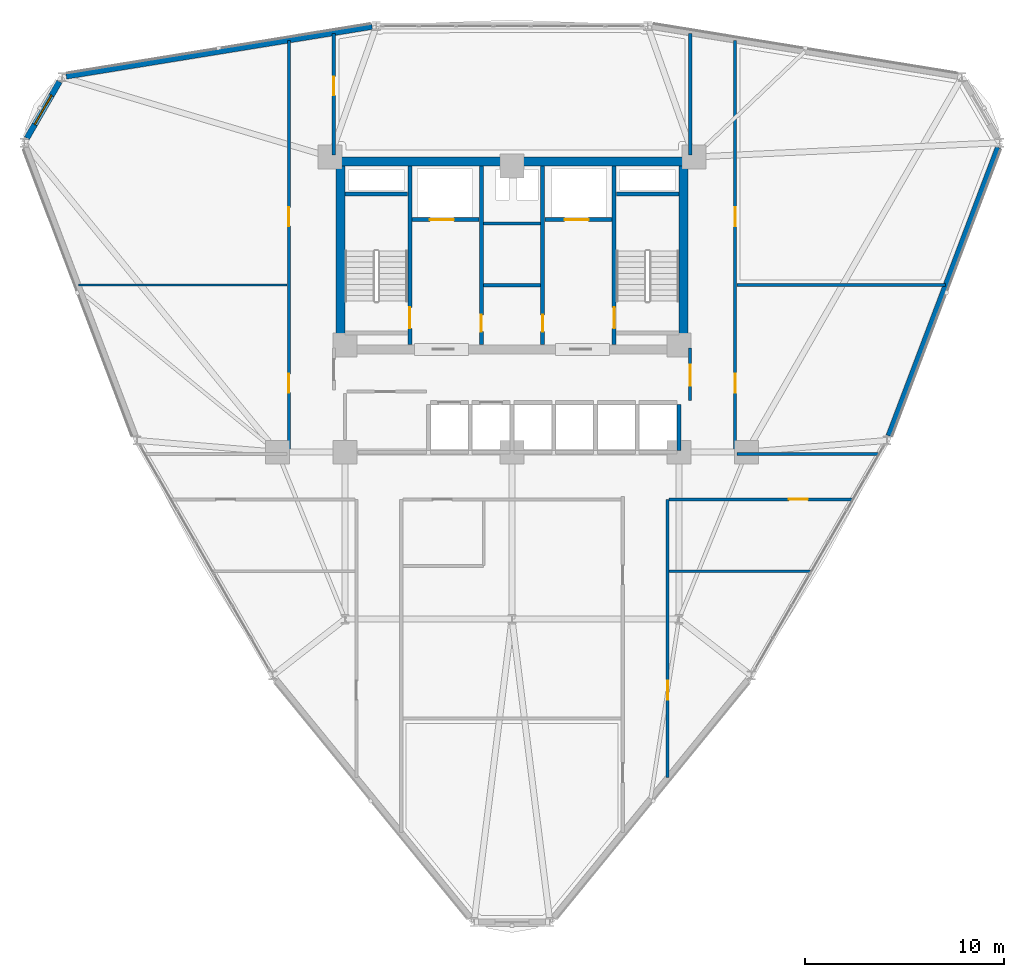
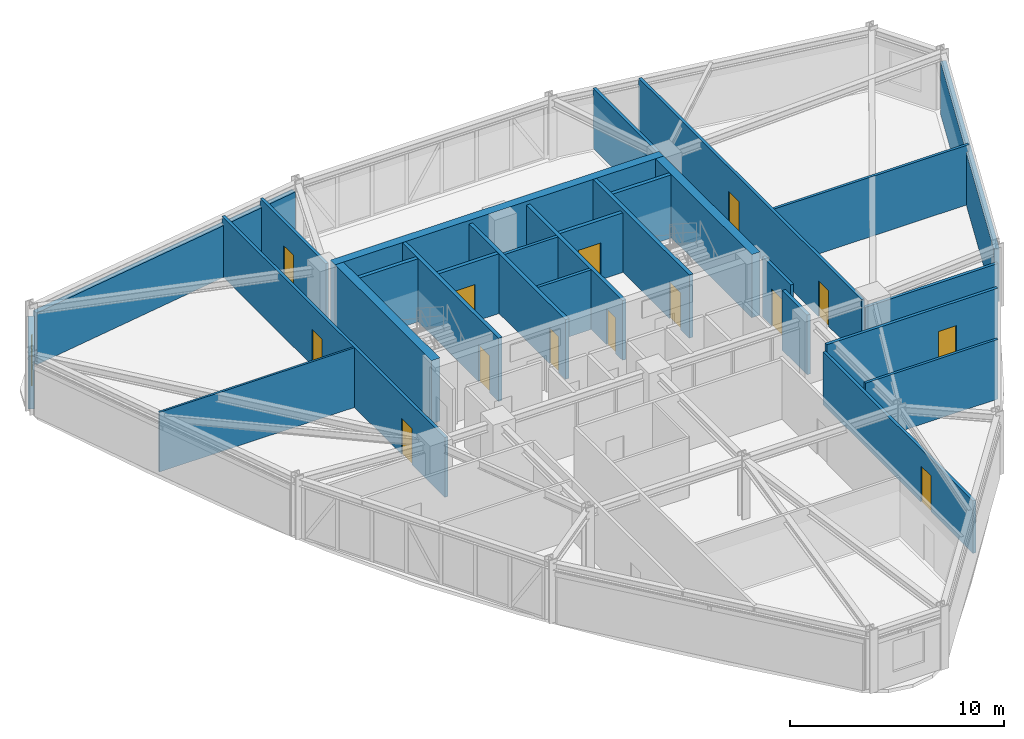
# One storey, part 11 of 17: 28 walls, 14 doors, 1 window, 15 openings.
"""IFC4 building model written with IfcOpenShell, lengths in metres."""

from ifc_helpers import new_model, si_unit, derived_unit, direction, frame, frame_2d, origin, place, context, subcontext, project, spatial, rectangle, extrude, material, layer, layer_set, type_object, element, fill, save


model = new_model("IFC4")

# Units and contexts
model_context = context("Model", 3, precision=1e-05, world=origin(), true_north=direction((0.0, 1.0)))
body_context = subcontext(model_context, "Body", "Model", "MODEL_VIEW")
ifc_project = project(units=[si_unit("LENGTHUNIT", "METRE"), si_unit("AREAUNIT", "SQUARE_METRE"), si_unit("VOLUMEUNIT", "CUBIC_METRE"), si_unit("PLANEANGLEUNIT", "RADIAN"), si_unit("MASSUNIT", "GRAM", prefix="KILO"), derived_unit("THERMALTRANSMITTANCEUNIT", [(si_unit("POWERUNIT", "WATT"), 1), (si_unit("LENGTHUNIT", "METRE"), -2), (si_unit("THERMODYNAMICTEMPERATUREUNIT", "KELVIN"), -1)])], contexts=[model_context])

# Site, building, storey
site_placement = place(None, origin())
site = spatial("IfcSite", under=ifc_project, at=site_placement, CompositionType="ELEMENT")
building_placement = place(site_placement, origin())
building = spatial("IfcBuilding", under=site, at=building_placement, Name="Korsvarv Bourse and Concert Hall", CompositionType="ELEMENT")
storey_placement = place(building_placement, frame((0.0, 0.0, 124.199951171875)))
storey = spatial("IfcBuildingStorey", under=building, at=storey_placement, Name="L31", CompositionType="ELEMENT", Elevation=124.199951171875)

# Wall, opening, door
ifc_material_1 = material(Name="Concrete C50/60", Category="concrete")
ifc_layer_1 = layer(ifc_material_1, 0.3798828125)
ifc_layer_set_1 = layer_set([ifc_layer_1], Name="Concrete C50/60")
wall_type_1 = type_object("IfcWallType", Name="WL-CORE-380", PredefinedType="SHEAR", material=ifc_layer_set_1)
wall_1_placement = place(storey_placement, frame((30.860107421875, 37.81005859375, 0.0), z_axis=(0.0, 0.0, 1.0), x_axis=(0.0, 1.0, 0.0)))
wall_1 = element("IfcWall", 1, at=wall_1_placement, inside=storey, type_object=wall_type_1, Name="L31 stair shaft structural wall W-L31-ST1-E", PredefinedType="SHEAR", context=body_context, shape_type="SweptSolid", body=[
    extrude(rectangle(XDim=8.97998046875, YDim=0.199951171875, at=frame_2d((4.489990234375, 0.0))), origin(), (0.0, 0.0, 1.0), 3.60009765625),
])
opening_1_placement = place(wall_1_placement, frame((0.820068359375, 0.0, 0.0)))
opening_1 = element("IfcOpeningElement", 2, at=opening_1_placement, cuts=wall_1, Name="Opening D-01", PredefinedType="OPENING", context=body_context, shape_type="SweptSolid", body=[
    extrude(rectangle(XDim=1.050048828125, YDim=2.10009765625, at=frame_2d((0.52490234375, 1.050048828125))), frame((0.0, 0.10986328125, 0.0), z_axis=(0.0, -1.0, 0.0), x_axis=(1.0, 0.0, 0.0)), (0.0, 0.0, 1.0), 0.219970703125),
])
ifc_material_2 = material(Name="Steel S355 fire door", Category="steel")
door_type_1 = type_object("IfcDoorType", Name="DR-FD60", OperationType="NOTDEFINED", PredefinedType="DOOR", material=ifc_material_2)
door_1_placement = place(opening_1_placement, origin())
door_1 = element("IfcDoor", 3, at=door_1_placement, inside=storey, type_object=door_type_1, Name="L31 interior door DR-L31-ST1", OperationType="SINGLE_SWING_LEFT", OverallHeight=2.10009765625, OverallWidth=1.050048828125, PredefinedType="DOOR", context=body_context, shape_type="SweptSolid", body=[
    extrude(rectangle(XDim=1.050048828125, YDim=2.10009765625, at=frame_2d((0.52490234375, 1.050048828125))), frame((0.0, 0.02490234375, 0.0), z_axis=(0.0, -1.0, 0.0), x_axis=(1.0, 0.0, 0.0)), (0.0, 0.0, 1.0), 0.050048828125),
])
fill(opening_1, door_1)

# Wall
wall_2_placement = place(storey_placement, frame((27.610107421875, 45.39990234375, 0.0), z_axis=(0.0, 0.0, 1.0), x_axis=(1.0, 0.0, 0.0)))
element("IfcWall", 4, at=wall_2_placement, inside=storey, type_object=wall_type_1, Name="L31 stair shaft structural wall W-L31-ST1-N", PredefinedType="SHEAR", context=body_context, shape_type="SweptSolid", body=[
    extrude(rectangle(XDim=3.139892578125, YDim=0.199951171875, at=frame_2d((1.56982421875, 0.0))), origin(), (0.0, 0.0, 1.0), 3.60009765625),
])

# Wall, opening, door
wall_3_placement = place(storey_placement, frame((41.139892578125, 37.81005859375, 0.0), z_axis=(0.0, 0.0, 1.0), x_axis=(0.0, 1.0, 0.0)))
wall_3 = element("IfcWall", 5, at=wall_3_placement, inside=storey, type_object=wall_type_1, Name="L31 stair shaft structural wall W-L31-ST2-W", PredefinedType="SHEAR", context=body_context, shape_type="SweptSolid", body=[
    extrude(rectangle(XDim=8.97998046875, YDim=0.199951171875, at=frame_2d((4.489990234375, 0.0))), origin(), (0.0, 0.0, 1.0), 3.60009765625),
])
opening_2_placement = place(wall_3_placement, frame((0.820068359375, 0.0, 0.0)))
opening_2 = element("IfcOpeningElement", 6, at=opening_2_placement, cuts=wall_3, Name="Opening D-01", PredefinedType="OPENING", context=body_context, shape_type="SweptSolid", body=[
    extrude(rectangle(XDim=1.050048828125, YDim=2.10009765625, at=frame_2d((0.52490234375, 1.050048828125))), frame((0.0, 0.10986328125, 0.0), z_axis=(0.0, -1.0, 0.0), x_axis=(1.0, 0.0, 0.0)), (0.0, 0.0, 1.0), 0.219970703125),
])
door_2_placement = place(opening_2_placement, frame((1.050048828125, 0.0, 0.0), z_axis=(0.0, 0.0, 1.0), x_axis=(-1.0, 0.0, 0.0)))
door_2 = element("IfcDoor", 7, at=door_2_placement, inside=storey, type_object=door_type_1, Name="L31 interior door DR-L31-ST2", OperationType="SINGLE_SWING_RIGHT", OverallHeight=2.10009765625, OverallWidth=1.050048828125, PredefinedType="DOOR", context=body_context, shape_type="SweptSolid", body=[
    extrude(rectangle(XDim=1.050048828125, YDim=2.10009765625, at=frame_2d((0.52490234375, 1.050048828125))), frame((0.0, 0.02490234375, 0.0), z_axis=(0.0, -1.0, 0.0), x_axis=(1.0, 0.0, 0.0)), (0.0, 0.0, 1.0), 0.050048828125),
])
fill(opening_2, door_2)

# Walls
wall_4_placement = place(storey_placement, frame((41.25, 45.39990234375, 0.0), z_axis=(0.0, 0.0, 1.0), x_axis=(1.0, 0.0, 0.0)))
element("IfcWall", 8, at=wall_4_placement, inside=storey, type_object=wall_type_1, Name="L31 stair shaft structural wall W-L31-ST2-N", PredefinedType="SHEAR", context=body_context, shape_type="SweptSolid", body=[
    extrude(rectangle(XDim=3.139892578125, YDim=0.199951171875, at=frame_2d((1.56982421875, 0.0))), origin(), (0.0, 0.0, 1.0), 3.60009765625),
])
ifc_material_3 = material(Name="Concrete C55/67", Category="concrete")
ifc_layer_2 = layer(ifc_material_3, 0.449951171875)
ifc_layer_set_2 = layer_set([ifc_layer_2], Name="Concrete C55/67")
wall_type_2 = type_object("IfcWallType", Name="WL-CORE-450", PredefinedType="SHEAR", material=ifc_layer_set_2)
wall_5_placement = place(storey_placement, frame((27.14990234375, 47.02490234375, 0.0), z_axis=(0.0, 0.0, 1.0), x_axis=(1.0, 0.0, 0.0)))
element("IfcWall", 9, at=wall_5_placement, inside=storey, type_object=wall_type_2, Name="L31 North Core Shear Wall", PredefinedType="SHEAR", context=body_context, shape_type="SweptSolid", body=[
    extrude(rectangle(XDim=17.7001953125, YDim=0.449951171875, at=frame_2d((8.85009765625, 0.0))), origin(), (0.0, 0.0, 1.0), 3.60009765625),
])
for number, where, z_axis, x_axis, name in (
    (10, (27.375, 37.800048828125, 0.0), (0.0, 0.0, 1.0), (0.0, 1.0, 0.0), "L31 West Core Shear Wall"),
    (11, (44.625, 37.800048828125, 0.0), (0.0, 0.0, 1.0), (0.0, 1.0, 0.0), "L31 East Core Shear Wall"),
):
    element("IfcWall", number, at=place(storey_placement, frame(where, z_axis=z_axis, x_axis=x_axis)), inside=storey, type_object=wall_type_2, Name=name, PredefinedType="SHEAR", context=body_context, shape_type="SweptSolid", body=[
        extrude(rectangle(XDim=9.0, YDim=0.449951171875, at=frame_2d((4.5, 0.0))), origin(), (0.0, 0.0, 1.0), 3.60009765625),
    ])

# Wall, opening, window
ifc_material_4 = material(Name="Precast concrete C45/55 with terracotta rainscreen", Category="concrete")
ifc_layer_3 = layer(ifc_material_4, 0.300048828125)
ifc_layer_set_3 = layer_set([ifc_layer_3], Name="Precast concrete C45/55 with terracotta rainscreen")
wall_type_3 = type_object("IfcWallType", Name="WL-EXT-TC1", PredefinedType="SOLIDWALL", material=ifc_layer_set_3)
wall_6_placement = place(storey_placement, frame((13.23193359375, 51.038330078125, 0.0), z_axis=(0.0, 0.0, 1.0), x_axis=(-0.500014611105, -0.866016967894, 0.0)))
wall_6 = element("IfcWall", 12, at=wall_6_placement, inside=storey, type_object=wall_type_3, Name="L31 terracotta exterior wall EW-L31-B05", PredefinedType="SOLIDWALL", context=body_context, shape_type="SweptSolid", body=[
    extrude(rectangle(XDim=3.279296875, YDim=0.300048828125, at=frame_2d((1.6396484375, 0.0))), origin(), (0.0, 0.0, 1.0), 3.0),
])
opening_3_placement = place(wall_6_placement, frame((0.78955078125, 0.0, 0.75)))
opening_3 = element("IfcOpeningElement", 13, at=opening_3_placement, cuts=wall_6, Name="Opening W-01", PredefinedType="OPENING", context=body_context, shape_type="SweptSolid", body=[
    extrude(rectangle(XDim=1.699951171875, YDim=1.75, at=frame_2d((0.85009765625, 0.875))), frame((0.0, 0.16015625, 0.0), z_axis=(0.0, -1.0, 0.0), x_axis=(1.0, 0.0, 0.0)), (0.0, 0.0, 1.0), 0.320068359375),
])
ifc_material_5 = material(Name="Thermally broken aluminium frame with triple low-E glass", Category="glass")
window_type = type_object("IfcWindowType", Name="WIN-TW1", PartitioningType="SINGLE_PANEL", PredefinedType="WINDOW", material=ifc_material_5)
window_placement = place(opening_3_placement, origin())
window = element("IfcWindow", 14, at=window_placement, inside=storey, type_object=window_type, Name="L31 punched facade window W-01", OverallHeight=1.75, OverallWidth=1.699951171875, PartitioningType="SINGLE_PANEL", PredefinedType="WINDOW", context=body_context, shape_type="SweptSolid", body=[
    extrude(rectangle(XDim=1.699951171875, YDim=1.75, at=frame_2d((0.85009765625, 0.875))), frame((0.0, 0.030029296875, 0.0), z_axis=(0.0, -1.0, 0.0), x_axis=(1.0, 0.0, 0.0)), (0.0, 0.0, 1.0), 0.06005859375),
])
fill(opening_3, window)

# Walls
ifc_material_6 = material(Name="Precast concrete C45/55 with fluted terracotta pier", Category="concrete")
ifc_layer_4 = layer(ifc_material_6, 0.280029296875)
ifc_layer_set_4 = layer_set([ifc_layer_4], Name="Precast concrete C45/55 with fluted terracotta pier")
wall_type_4 = type_object("IfcWallType", Name="WL-EXT-TC2", PredefinedType="SOLIDWALL", material=ifc_layer_set_4)
wall_7_placement = place(storey_placement, frame((28.959228515625, 53.806396484375, 0.0), z_axis=(0.0, 0.0, 1.0), x_axis=(-0.987036263752, -0.160497395736, 0.0)))
element("IfcWall", 15, at=wall_7_placement, inside=storey, type_object=wall_type_4, Name="L31 terracotta exterior wall EW-L31-B04", PredefinedType="SOLIDWALL", context=body_context, shape_type="SweptSolid", body=[
    extrude(rectangle(XDim=15.5810546875, YDim=0.280029296875, at=frame_2d((7.79052734375, 0.0))), origin(), (0.0, 0.0, 1.0), 2.949951171875),
])
wall_8_placement = place(storey_placement, frame((54.952392578125, 33.22412109375, 0.0), z_axis=(0.0, 0.0, 1.0), x_axis=(0.354519532047, 0.935048609109, 0.0)))
element("IfcWall", 16, at=wall_8_placement, inside=storey, type_object=wall_type_4, Name="L31 terracotta exterior wall EW-L31-B12", PredefinedType="SOLIDWALL", context=body_context, shape_type="SweptSolid", body=[
    extrude(rectangle(XDim=15.517333984375, YDim=0.280029296875, at=frame_2d((7.7587890625, 0.0))), origin(), (0.0, 0.0, 1.0), 3.0),
])

# Wall, opening, door
ifc_material_7 = material(Name="Reinforced concrete blockwork C35/45 fire wall", Category="concrete")
ifc_layer_5 = layer(ifc_material_7, 0.199951171875)
ifc_layer_set_5 = layer_set([ifc_layer_5], Name="Reinforced concrete blockwork C35/45 fire wall")
wall_type_5 = type_object("IfcWallType", Name="WL-INT-EI120", PredefinedType="PARTITIONING", material=ifc_layer_set_5)
wall_9_placement = place(storey_placement, frame((30.969970703125, 44.10009765625, 0.0), z_axis=(0.0, 0.0, 1.0), x_axis=(1.0, 0.0, 0.0)))
wall_9 = element("IfcWall", 17, at=wall_9_placement, inside=storey, type_object=wall_type_5, Name="L31 interior partition wall W-L31-FF1-S", PredefinedType="PARTITIONING", context=body_context, shape_type="SweptSolid", body=[
    extrude(rectangle(XDim=3.380126953125, YDim=0.199951171875, at=frame_2d((1.68994140625, 0.0))), origin(), (0.0, 0.0, 1.0), 3.400146484375),
])
opening_4_placement = place(wall_9_placement, frame((0.89990234375, 0.0, 0.0)))
opening_4 = element("IfcOpeningElement", 18, at=opening_4_placement, cuts=wall_9, Name="Opening LD-1", PredefinedType="OPENING", context=body_context, shape_type="SweptSolid", body=[
    extrude(rectangle(XDim=1.199951171875, YDim=2.10009765625, at=frame_2d((0.60009765625, 1.050048828125))), frame((0.0, 0.10986328125, 0.0), z_axis=(0.0, -1.0, 0.0), x_axis=(1.0, 0.0, 0.0)), (0.0, 0.0, 1.0), 0.219970703125),
])
ifc_material_8 = material(Name="Stainless Steel S355 firefighting lift landing door", Category="steel")
door_type_2 = type_object("IfcDoorType", Name="DR-LIFT-FF", OperationType="DOUBLE_DOOR_SLIDING", PredefinedType="DOOR", material=ifc_material_8)
door_3_placement = place(opening_4_placement, origin())
door_3 = element("IfcDoor", 19, at=door_3_placement, inside=storey, type_object=door_type_2, Name="L31 lift sliding landing door LD-L31-FF1", OperationType="DOUBLE_DOOR_SLIDING", OverallHeight=2.10009765625, OverallWidth=1.199951171875, PredefinedType="DOOR", context=body_context, shape_type="SweptSolid", body=[
    extrude(rectangle(XDim=1.199951171875, YDim=2.10009765625, at=frame_2d((0.60009765625, 1.050048828125))), frame((0.0, 0.02490234375, 0.0), z_axis=(0.0, -1.0, 0.0), x_axis=(1.0, 0.0, 0.0)), (0.0, 0.0, 1.0), 0.050048828125),
])
fill(opening_4, door_3)

wall_10_placement = place(storey_placement, frame((37.64990234375, 44.10009765625, 0.0), z_axis=(0.0, 0.0, 1.0), x_axis=(1.0, 0.0, 0.0)))
wall_10 = element("IfcWall", 20, at=wall_10_placement, inside=storey, type_object=wall_type_5, Name="L31 interior partition wall W-L31-FF2-S", PredefinedType="PARTITIONING", context=body_context, shape_type="SweptSolid", body=[
    extrude(rectangle(XDim=3.380126953125, YDim=0.199951171875, at=frame_2d((1.68994140625, 0.0))), origin(), (0.0, 0.0, 1.0), 3.400146484375),
])
opening_5_placement = place(wall_10_placement, frame((1.0, 0.0, 0.0)))
opening_5 = element("IfcOpeningElement", 21, at=opening_5_placement, cuts=wall_10, Name="Opening LD-1", PredefinedType="OPENING", context=body_context, shape_type="SweptSolid", body=[
    extrude(rectangle(XDim=1.199951171875, YDim=2.10009765625, at=frame_2d((0.60009765625, 1.050048828125))), frame((0.0, 0.10986328125, 0.0), z_axis=(0.0, -1.0, 0.0), x_axis=(1.0, 0.0, 0.0)), (0.0, 0.0, 1.0), 0.219970703125),
])
door_4_placement = place(opening_5_placement, origin())
door_4 = element("IfcDoor", 22, at=door_4_placement, inside=storey, type_object=door_type_2, Name="L31 lift sliding landing door LD-L31-FF2", OperationType="DOUBLE_DOOR_SLIDING", OverallHeight=2.10009765625, OverallWidth=1.199951171875, PredefinedType="DOOR", context=body_context, shape_type="SweptSolid", body=[
    extrude(rectangle(XDim=1.199951171875, YDim=2.10009765625, at=frame_2d((0.60009765625, 1.050048828125))), frame((0.0, 0.02490234375, 0.0), z_axis=(0.0, -1.0, 0.0), x_axis=(1.0, 0.0, 0.0)), (0.0, 0.0, 1.0), 0.050048828125),
])
fill(opening_5, door_4)

wall_11_placement = place(storey_placement, frame((34.4599609375, 37.81005859375, 0.0), z_axis=(0.0, 0.0, 1.0), x_axis=(0.0, 1.0, 0.0)))
wall_11 = element("IfcWall", 23, at=wall_11_placement, inside=storey, type_object=wall_type_5, Name="L31 interior partition wall W-L31-CSB-W", PredefinedType="PARTITIONING", context=body_context, shape_type="SweptSolid", body=[
    extrude(rectangle(XDim=8.97998046875, YDim=0.199951171875, at=frame_2d((4.489990234375, 0.0))), origin(), (0.0, 0.0, 1.0), 3.400146484375),
])
opening_6_placement = place(wall_11_placement, frame((0.64990234375, 0.0, 0.0)))
opening_6 = element("IfcOpeningElement", 24, at=opening_6_placement, cuts=wall_11, Name="Opening D-05", PredefinedType="OPENING", context=body_context, shape_type="SweptSolid", body=[
    extrude(rectangle(XDim=0.85009765625, YDim=2.050048828125, at=frame_2d((0.425048828125, 1.02490234375))), frame((0.0, 0.10986328125, 0.0), z_axis=(0.0, -1.0, 0.0), x_axis=(1.0, 0.0, 0.0)), (0.0, 0.0, 1.0), 0.219970703125),
])
door_type_3 = type_object("IfcDoorType", Name="DR-FD60-850X2050", OperationType="NOTDEFINED", PredefinedType="DOOR", material=ifc_material_2)
door_5_placement = place(opening_6_placement, frame((0.85009765625, 0.0, 0.0), z_axis=(0.0, 0.0, 1.0), x_axis=(-1.0, 0.0, 0.0)))
door_5 = element("IfcDoor", 25, at=door_5_placement, inside=storey, type_object=door_type_3, Name="L31 interior door DR-L31-CSB1", OperationType="SINGLE_SWING_LEFT", OverallHeight=2.050048828125, OverallWidth=0.85009765625, PredefinedType="DOOR", context=body_context, shape_type="SweptSolid", body=[
    extrude(rectangle(XDim=0.85009765625, YDim=2.050048828125, at=frame_2d((0.425048828125, 1.02490234375))), frame((0.0, 0.02490234375, 0.0), z_axis=(0.0, -1.0, 0.0), x_axis=(1.0, 0.0, 0.0)), (0.0, 0.0, 1.0), 0.050048828125),
])
fill(opening_6, door_5)

wall_12_placement = place(storey_placement, frame((37.5400390625, 37.81005859375, 0.0), z_axis=(0.0, 0.0, 1.0), x_axis=(0.0, 1.0, 0.0)))
wall_12 = element("IfcWall", 26, at=wall_12_placement, inside=storey, type_object=wall_type_5, Name="L31 interior partition wall W-L31-CSB-E", PredefinedType="PARTITIONING", context=body_context, shape_type="SweptSolid", body=[
    extrude(rectangle(XDim=8.97998046875, YDim=0.199951171875, at=frame_2d((4.489990234375, 0.0))), origin(), (0.0, 0.0, 1.0), 3.400146484375),
])
opening_7_placement = place(wall_12_placement, frame((0.64990234375, 0.0, 0.0)))
opening_7 = element("IfcOpeningElement", 27, at=opening_7_placement, cuts=wall_12, Name="Opening D-05", PredefinedType="OPENING", context=body_context, shape_type="SweptSolid", body=[
    extrude(rectangle(XDim=0.85009765625, YDim=2.050048828125, at=frame_2d((0.425048828125, 1.02490234375))), frame((0.0, 0.10986328125, 0.0), z_axis=(0.0, -1.0, 0.0), x_axis=(1.0, 0.0, 0.0)), (0.0, 0.0, 1.0), 0.219970703125),
])
door_6_placement = place(opening_7_placement, origin())
door_6 = element("IfcDoor", 28, at=door_6_placement, inside=storey, type_object=door_type_3, Name="L31 interior door DR-L31-CSB2", OperationType="SINGLE_SWING_RIGHT", OverallHeight=2.050048828125, OverallWidth=0.85009765625, PredefinedType="DOOR", context=body_context, shape_type="SweptSolid", body=[
    extrude(rectangle(XDim=0.85009765625, YDim=2.050048828125, at=frame_2d((0.425048828125, 1.02490234375))), frame((0.0, 0.02490234375, 0.0), z_axis=(0.0, -1.0, 0.0), x_axis=(1.0, 0.0, 0.0)), (0.0, 0.0, 1.0), 0.050048828125),
])
fill(opening_7, door_6)

# Walls
ifc_material_9 = material(Name="Double-stud fire-rated acoustic partition", Category="gypsum")
ifc_layer_6 = layer(ifc_material_9, 0.159912109375)
ifc_layer_set_6 = layer_set([ifc_layer_6], Name="Double-stud fire-rated acoustic partition")
wall_type_6 = type_object("IfcWallType", Name="WL-INT-EI60", PredefinedType="PARTITIONING", material=ifc_layer_set_6)
for number, where, z_axis, x_axis, name in (
    (29, (34.570068359375, 40.800048828125, 0.0), (0.0, 0.0, 1.0), (1.0, 0.0, 0.0), "L31 interior partition wall W-L31-K1"),
    (30, (34.570068359375, 43.89990234375, 0.0), (0.0, 0.0, 1.0), (1.0, 0.0, 0.0), "L31 interior partition wall W-L31-K2"),
):
    element("IfcWall", number, at=place(storey_placement, frame(where, z_axis=z_axis, x_axis=x_axis)), inside=storey, type_object=wall_type_6, Name=name, PredefinedType="PARTITIONING", context=body_context, shape_type="SweptSolid", body=[
        extrude(rectangle(XDim=2.85986328125, YDim=0.159912109375, at=frame_2d((1.429931640625, 0.0))), origin(), (0.0, 0.0, 1.0), 3.400146484375),
    ])

# Wall, opening, door
wall_13_placement = place(storey_placement, frame((44.9599609375, 35.0, 0.0), z_axis=(0.0, 0.0, 1.0), x_axis=(0.0, 1.0, 0.0)))
wall_13 = element("IfcWall", 31, at=wall_13_placement, inside=storey, type_object=wall_type_6, Name="L31 interior partition wall W-L31-LOB-E", PredefinedType="PARTITIONING", context=body_context, shape_type="SweptSolid", body=[
    extrude(rectangle(XDim=2.64990234375, YDim=0.159912109375, at=frame_2d((1.324951171875, 0.0))), origin(), (0.0, 0.0, 1.0), 3.400146484375),
])
opening_8_placement = place(wall_13_placement, frame((0.75, 0.0, 0.0)))
opening_8 = element("IfcOpeningElement", 32, at=opening_8_placement, cuts=wall_13, Name="Opening D-01", PredefinedType="OPENING", context=body_context, shape_type="SweptSolid", body=[
    extrude(rectangle(XDim=1.050048828125, YDim=2.10009765625, at=frame_2d((0.52490234375, 1.050048828125))), frame((0.0, 0.08984375, 0.0), z_axis=(0.0, -1.0, 0.0), x_axis=(1.0, 0.0, 0.0)), (0.0, 0.0, 1.0), 0.179931640625),
])
door_7_placement = place(opening_8_placement, origin())
door_7 = element("IfcDoor", 33, at=door_7_placement, inside=storey, type_object=door_type_1, Name="L31 interior door DR-L31-LOBE", OperationType="SINGLE_SWING_LEFT", OverallHeight=2.10009765625, OverallWidth=1.050048828125, PredefinedType="DOOR", context=body_context, shape_type="SweptSolid", body=[
    extrude(rectangle(XDim=1.050048828125, YDim=2.10009765625, at=frame_2d((0.52490234375, 1.050048828125))), frame((0.0, 0.02490234375, 0.0), z_axis=(0.0, -1.0, 0.0), x_axis=(1.0, 0.0, 0.0)), (0.0, 0.0, 1.0), 0.050048828125),
])
fill(opening_8, door_7)

# Wall, openings, doors
wall_14_placement = place(storey_placement, frame((47.22509765625, 32.31005859375, 0.0), z_axis=(0.0, 0.0, 1.0), x_axis=(0.0, 1.0, 0.0)))
wall_14 = element("IfcWall", 34, at=wall_14_placement, inside=storey, type_object=wall_type_6, Name="L31 interior partition wall W-L31-TCOR-01", PredefinedType="PARTITIONING", context=body_context, shape_type="SweptSolid", body=[
    extrude(rectangle(XDim=20.7958984375, YDim=0.159912109375, at=frame_2d((10.39794921875, 0.0))), origin(), (0.0, 0.0, 1.0), 3.400146484375),
])
opening_9_placement = place(wall_14_placement, frame((3.08154296875, 0.0, 0.0)))
opening_9 = element("IfcOpeningElement", 35, at=opening_9_placement, cuts=wall_14, Name="Opening D-02", PredefinedType="OPENING", context=body_context, shape_type="SweptSolid", body=[
    extrude(rectangle(XDim=0.949951171875, YDim=2.050048828125, at=frame_2d((0.47509765625, 1.02490234375))), frame((0.0, 0.08984375, 0.0), z_axis=(0.0, -1.0, 0.0), x_axis=(1.0, 0.0, 0.0)), (0.0, 0.0, 1.0), 0.179931640625),
])
opening_10_placement = place(wall_14_placement, frame((11.459716796875, 0.0, 0.0)))
opening_10 = element("IfcOpeningElement", 36, at=opening_10_placement, cuts=wall_14, Name="Opening D-02", PredefinedType="OPENING", context=body_context, shape_type="SweptSolid", body=[
    extrude(rectangle(XDim=0.949951171875, YDim=2.050048828125, at=frame_2d((0.47509765625, 1.02490234375))), frame((0.0, 0.08984375, 0.0), z_axis=(0.0, -1.0, 0.0), x_axis=(1.0, 0.0, 0.0)), (0.0, 0.0, 1.0), 0.179931640625),
])
ifc_material_10 = material(Name="Timber and steel acoustic fire door", Category="wood")
door_type_4 = type_object("IfcDoorType", Name="DR-FD30", OperationType="NOTDEFINED", PredefinedType="DOOR", material=ifc_material_10)
door_8_placement = place(opening_9_placement, origin())
door_8 = element("IfcDoor", 37, at=door_8_placement, inside=storey, type_object=door_type_4, Name="L31 interior door DR-L31-TCOR-ES81", OperationType="SINGLE_SWING_RIGHT", OverallHeight=2.050048828125, OverallWidth=0.949951171875, PredefinedType="DOOR", context=body_context, shape_type="SweptSolid", body=[
    extrude(rectangle(XDim=0.949951171875, YDim=2.050048828125, at=frame_2d((0.47509765625, 1.02490234375))), frame((0.0, 0.02490234375, 0.0), z_axis=(0.0, -1.0, 0.0), x_axis=(1.0, 0.0, 0.0)), (0.0, 0.0, 1.0), 0.050048828125),
])
fill(opening_9, door_8)
door_9_placement = place(opening_10_placement, origin())
door_9 = element("IfcDoor", 38, at=door_9_placement, inside=storey, type_object=door_type_4, Name="L31 interior door DR-L31-TCOR-RM22", OperationType="SINGLE_SWING_LEFT", OverallHeight=2.050048828125, OverallWidth=0.949951171875, PredefinedType="DOOR", context=body_context, shape_type="SweptSolid", body=[
    extrude(rectangle(XDim=0.949951171875, YDim=2.050048828125, at=frame_2d((0.47509765625, 1.02490234375))), frame((0.0, 0.02490234375, 0.0), z_axis=(0.0, -1.0, 0.0), x_axis=(1.0, 0.0, 0.0)), (0.0, 0.0, 1.0), 0.050048828125),
])
fill(opening_10, door_9)

wall_15_placement = place(storey_placement, frame((24.77490234375, 32.31005859375, 0.0), z_axis=(0.0, 0.0, 1.0), x_axis=(0.0, 1.0, 0.0)))
wall_15 = element("IfcWall", 39, at=wall_15_placement, inside=storey, type_object=wall_type_6, Name="L31 interior partition wall W-L31-TCOR-02", PredefinedType="PARTITIONING", context=body_context, shape_type="SweptSolid", body=[
    extrude(rectangle(XDim=20.7958984375, YDim=0.159912109375, at=frame_2d((10.39794921875, 0.0))), origin(), (0.0, 0.0, 1.0), 3.400146484375),
])
opening_11_placement = place(wall_15_placement, frame((3.08154296875, 0.0, 0.0)))
opening_11 = element("IfcOpeningElement", 40, at=opening_11_placement, cuts=wall_15, Name="Opening D-02", PredefinedType="OPENING", context=body_context, shape_type="SweptSolid", body=[
    extrude(rectangle(XDim=0.949951171875, YDim=2.050048828125, at=frame_2d((0.47509765625, 1.02490234375))), frame((0.0, 0.08984375, 0.0), z_axis=(0.0, -1.0, 0.0), x_axis=(1.0, 0.0, 0.0)), (0.0, 0.0, 1.0), 0.179931640625),
])
opening_12_placement = place(wall_15_placement, frame((11.459716796875, 0.0, 0.0)))
opening_12 = element("IfcOpeningElement", 41, at=opening_12_placement, cuts=wall_15, Name="Opening D-02", PredefinedType="OPENING", context=body_context, shape_type="SweptSolid", body=[
    extrude(rectangle(XDim=0.949951171875, YDim=2.050048828125, at=frame_2d((0.47509765625, 1.02490234375))), frame((0.0, 0.08984375, 0.0), z_axis=(0.0, -1.0, 0.0), x_axis=(1.0, 0.0, 0.0)), (0.0, 0.0, 1.0), 0.179931640625),
])
door_10_placement = place(opening_11_placement, origin())
door_10 = element("IfcDoor", 42, at=door_10_placement, inside=storey, type_object=door_type_4, Name="L31 interior door DR-L31-TCOR-ES610", OperationType="SINGLE_SWING_RIGHT", OverallHeight=2.050048828125, OverallWidth=0.949951171875, PredefinedType="DOOR", context=body_context, shape_type="SweptSolid", body=[
    extrude(rectangle(XDim=0.949951171875, YDim=2.050048828125, at=frame_2d((0.47509765625, 1.02490234375))), frame((0.0, 0.02490234375, 0.0), z_axis=(0.0, -1.0, 0.0), x_axis=(1.0, 0.0, 0.0)), (0.0, 0.0, 1.0), 0.050048828125),
])
fill(opening_11, door_10)
door_11_placement = place(opening_12_placement, origin())
door_11 = element("IfcDoor", 43, at=door_11_placement, inside=storey, type_object=door_type_4, Name="L31 interior door DR-L31-TCOR-ES711", OperationType="SINGLE_SWING_LEFT", OverallHeight=2.050048828125, OverallWidth=0.949951171875, PredefinedType="DOOR", context=body_context, shape_type="SweptSolid", body=[
    extrude(rectangle(XDim=0.949951171875, YDim=2.050048828125, at=frame_2d((0.47509765625, 1.02490234375))), frame((0.0, 0.02490234375, 0.0), z_axis=(0.0, -1.0, 0.0), x_axis=(1.0, 0.0, 0.0)), (0.0, 0.0, 1.0), 0.050048828125),
])
fill(opening_12, door_11)

# Wall, opening, door
wall_16_placement = place(storey_placement, frame((43.824951171875, 16.02880859375, 0.0), z_axis=(0.0, 0.0, 1.0), x_axis=(0.0, 1.0, 0.0)))
wall_16 = element("IfcWall", 44, at=wall_16_placement, inside=storey, type_object=wall_type_6, Name="L31 interior partition wall W-L31-TCOR-06", PredefinedType="PARTITIONING", context=body_context, shape_type="SweptSolid", body=[
    extrude(rectangle(XDim=14.001220703125, YDim=0.159912109375, at=frame_2d((7.00048828125, 0.0))), origin(), (0.0, 0.0, 1.0), 3.0),
])
opening_13_placement = place(wall_16_placement, frame((3.918701171875, 0.0, 0.0)))
opening_13 = element("IfcOpeningElement", 45, at=opening_13_placement, cuts=wall_16, Name="Opening D-02", PredefinedType="OPENING", context=body_context, shape_type="SweptSolid", body=[
    extrude(rectangle(XDim=0.949951171875, YDim=2.050048828125, at=frame_2d((0.47509765625, 1.02490234375))), frame((0.0, 0.08984375, 0.0), z_axis=(0.0, -1.0, 0.0), x_axis=(1.0, 0.0, 0.0)), (0.0, 0.0, 1.0), 0.179931640625),
])
door_12_placement = place(opening_13_placement, origin())
door_12 = element("IfcDoor", 46, at=door_12_placement, inside=storey, type_object=door_type_4, Name="L31 interior door DR-L31-TCOR-ES53", OperationType="SINGLE_SWING_LEFT", OverallHeight=2.050048828125, OverallWidth=0.949951171875, PredefinedType="DOOR", context=body_context, shape_type="SweptSolid", body=[
    extrude(rectangle(XDim=0.949951171875, YDim=2.050048828125, at=frame_2d((0.47509765625, 1.02490234375))), frame((0.0, 0.02490234375, 0.0), z_axis=(0.0, -1.0, 0.0), x_axis=(1.0, 0.0, 0.0)), (0.0, 0.0, 1.0), 0.050048828125),
])
fill(opening_13, door_12)

wall_17_placement = place(storey_placement, frame((43.906982421875, 30.02490234375, 0.0), z_axis=(0.0, 0.0, 1.0), x_axis=(1.0, 0.0, 0.0)))
wall_17 = element("IfcWall", 47, at=wall_17_placement, inside=storey, type_object=wall_type_6, Name="L31 interior partition wall W-L31-TCOR-09", PredefinedType="PARTITIONING", context=body_context, shape_type="SweptSolid", body=[
    extrude(rectangle(XDim=9.224609375, YDim=0.159912109375, at=frame_2d((4.6123046875, 0.0))), origin(), (0.0, 0.0, 1.0), 3.400146484375),
])
opening_14_placement = place(wall_17_placement, frame((6.02490234375, 0.0, 0.0)))
opening_14 = element("IfcOpeningElement", 48, at=opening_14_placement, cuts=wall_17, Name="Opening D-02", PredefinedType="OPENING", context=body_context, shape_type="SweptSolid", body=[
    extrude(rectangle(XDim=0.949951171875, YDim=2.050048828125, at=frame_2d((0.47509765625, 1.02490234375))), frame((0.0, 0.08984375, 0.0), z_axis=(0.0, -1.0, 0.0), x_axis=(1.0, 0.0, 0.0)), (0.0, 0.0, 1.0), 0.179931640625),
])
door_13_placement = place(opening_14_placement, origin())
door_13 = element("IfcDoor", 49, at=door_13_placement, inside=storey, type_object=door_type_4, Name="L31 interior door DR-L31-TCOR-ES24", OperationType="SINGLE_SWING_RIGHT", OverallHeight=2.050048828125, OverallWidth=0.949951171875, PredefinedType="DOOR", context=body_context, shape_type="SweptSolid", body=[
    extrude(rectangle(XDim=0.949951171875, YDim=2.050048828125, at=frame_2d((0.47509765625, 1.02490234375))), frame((0.0, 0.02490234375, 0.0), z_axis=(0.0, -1.0, 0.0), x_axis=(1.0, 0.0, 0.0)), (0.0, 0.0, 1.0), 0.050048828125),
])
fill(opening_14, door_13)

# Wall
wall_18_placement = place(storey_placement, frame((47.306884765625, 32.31494140625, 0.0), z_axis=(0.0, 0.0, 1.0), x_axis=(1.0, 0.0, 0.0)))
element("IfcWall", 50, at=wall_18_placement, inside=storey, type_object=wall_type_6, Name="L31 interior partition wall W-L31-TCOR-11", PredefinedType="PARTITIONING", context=body_context, shape_type="SweptSolid", body=[
    extrude(rectangle(XDim=7.146728515625, YDim=0.159912109375, at=frame_2d((3.5732421875, 0.0))), origin(), (0.0, 0.0, 1.0), 2.949951171875),
])

# Wall, opening, door
wall_19_placement = place(storey_placement, frame((27.034912109375, 47.340087890625, 0.0), z_axis=(0.0, 0.0, 1.0), x_axis=(0.0, 1.0, 0.0)))
wall_19 = element("IfcWall", 51, at=wall_19_placement, inside=storey, type_object=wall_type_6, Name="L31 interior partition wall W-L31-TCOR-12", PredefinedType="PARTITIONING", context=body_context, shape_type="SweptSolid", body=[
    extrude(rectangle(XDim=6.13330078125, YDim=0.159912109375, at=frame_2d((3.066650390625, 0.0))), origin(), (0.0, 0.0, 1.0), 3.400146484375),
])
opening_15_placement = place(wall_19_placement, frame((3.0048828125, 0.0, 0.0)))
opening_15 = element("IfcOpeningElement", 52, at=opening_15_placement, cuts=wall_19, Name="Opening D-02", PredefinedType="OPENING", context=body_context, shape_type="SweptSolid", body=[
    extrude(rectangle(XDim=0.949951171875, YDim=2.050048828125, at=frame_2d((0.47509765625, 1.02490234375))), frame((0.0, 0.08984375, 0.0), z_axis=(0.0, -1.0, 0.0), x_axis=(1.0, 0.0, 0.0)), (0.0, 0.0, 1.0), 0.179931640625),
])
door_14_placement = place(opening_15_placement, origin())
door_14 = element("IfcDoor", 53, at=door_14_placement, inside=storey, type_object=door_type_4, Name="L31 interior door DR-L31-TCOR-RM55", OperationType="SINGLE_SWING_LEFT", OverallHeight=2.050048828125, OverallWidth=0.949951171875, PredefinedType="DOOR", context=body_context, shape_type="SweptSolid", body=[
    extrude(rectangle(XDim=0.949951171875, YDim=2.050048828125, at=frame_2d((0.47509765625, 1.02490234375))), frame((0.0, 0.02490234375, 0.0), z_axis=(0.0, -1.0, 0.0), x_axis=(1.0, 0.0, 0.0)), (0.0, 0.0, 1.0), 0.050048828125),
])
fill(opening_15, door_14)

# Walls
wall_20_placement = place(storey_placement, frame((44.965087890625, 47.340087890625, 0.0), z_axis=(0.0, 0.0, 1.0), x_axis=(0.0, 1.0, 0.0)))
element("IfcWall", 54, at=wall_20_placement, inside=storey, type_object=wall_type_6, Name="L31 interior partition wall W-L31-TCOR-13", PredefinedType="PARTITIONING", context=body_context, shape_type="SweptSolid", body=[
    extrude(rectangle(XDim=6.13330078125, YDim=0.159912109375, at=frame_2d((3.066650390625, 0.0))), origin(), (0.0, 0.0, 1.0), 3.400146484375),
])
ifc_material_11 = material(Name="Gypsum-clad autoclaved concrete shaft wall C30/37", Category="concrete")
ifc_layer_7 = layer(ifc_material_11, 0.179931640625)
ifc_layer_set_7 = layer_set([ifc_layer_7], Name="Gypsum-clad autoclaved concrete shaft wall C30/37")
wall_type_7 = type_object("IfcWallType", Name="WL-INT-EI90", PredefinedType="PARTITIONING", material=ifc_layer_set_7)
wall_21_placement = place(storey_placement, frame((44.39990234375, 32.489990234375, 0.0), z_axis=(0.0, 0.0, 1.0), x_axis=(0.0, 1.0, 0.0)))
element("IfcWall", 55, at=wall_21_placement, inside=storey, type_object=wall_type_7, Name="L31 interior partition wall W-L31-SHFE-END", PredefinedType="PARTITIONING", context=body_context, shape_type="SweptSolid", body=[
    extrude(rectangle(XDim=2.320068359375, YDim=0.179931640625, at=frame_2d((1.16015625, 0.0))), origin(), (0.0, 0.0, 1.0), 3.400146484375),
])
ifc_material_12 = material(Name="Demountable acoustic glass and aluminium dealing partition", Category="aluminium")
ifc_layer_8 = layer(ifc_material_12, 0.110107421875)
ifc_layer_set_8 = layer_set([ifc_layer_8], Name="Demountable acoustic glass and aluminium dealing partition")
wall_type_8 = type_object("IfcWallType", Name="WL-INT-MOV", PredefinedType="MOVABLE", material=ifc_layer_set_8)
wall_22_placement = place(storey_placement, frame((14.193359375, 40.804931640625, 0.0), z_axis=(0.0, 0.0, 1.0), x_axis=(1.0, 0.0, 0.0)))
element("IfcWall", 56, at=wall_22_placement, inside=storey, type_object=wall_type_8, Name="L31 interior partition wall W-L31-TCOR-15", PredefinedType="MOVABLE", context=body_context, shape_type="SweptSolid", body=[
    extrude(rectangle(XDim=10.499755859375, YDim=0.110107421875, at=frame_2d((5.25, 0.0))), origin(), (0.0, 0.0, 1.0), 3.400146484375),
])
ifc_material_13 = material(Name="Insulated steel-stud office acoustic partition", Category="gypsum")
ifc_layer_9 = layer(ifc_material_13, 0.139892578125)
ifc_layer_set_9 = layer_set([ifc_layer_9], Name="Insulated steel-stud office acoustic partition")
wall_type_9 = type_object("IfcWallType", Name="WL-INT-P1", PredefinedType="PARTITIONING", material=ifc_layer_set_9)
wall_23_placement = place(storey_placement, frame((47.306884765625, 40.804931640625, 0.0), z_axis=(0.0, 0.0, 1.0), x_axis=(1.0, 0.0, 0.0)))
element("IfcWall", 57, at=wall_23_placement, inside=storey, type_object=wall_type_9, Name="L31 interior partition wall W-L31-TCOR-16", PredefinedType="PARTITIONING", context=body_context, shape_type="SweptSolid", body=[
    extrude(rectangle(XDim=10.499755859375, YDim=0.139892578125, at=frame_2d((5.25, 0.0))), origin(), (0.0, 0.0, 1.0), 3.400146484375),
])
wall_24_placement = place(storey_placement, frame((43.906982421875, 26.405029296875, 0.0), z_axis=(0.0, 0.0, 1.0), x_axis=(1.0, 0.0, 0.0)))
element("IfcWall", 58, at=wall_24_placement, inside=storey, type_object=wall_type_9, Name="L31 interior partition wall W-L31-TCOR-18", PredefinedType="PARTITIONING", context=body_context, shape_type="SweptSolid", body=[
    extrude(rectangle(XDim=7.134521484375, YDim=0.139892578125, at=frame_2d((3.5673828125, 0.0))), origin(), (0.0, 0.0, 1.0), 3.400146484375),
])

save(model, "model.ifc")
